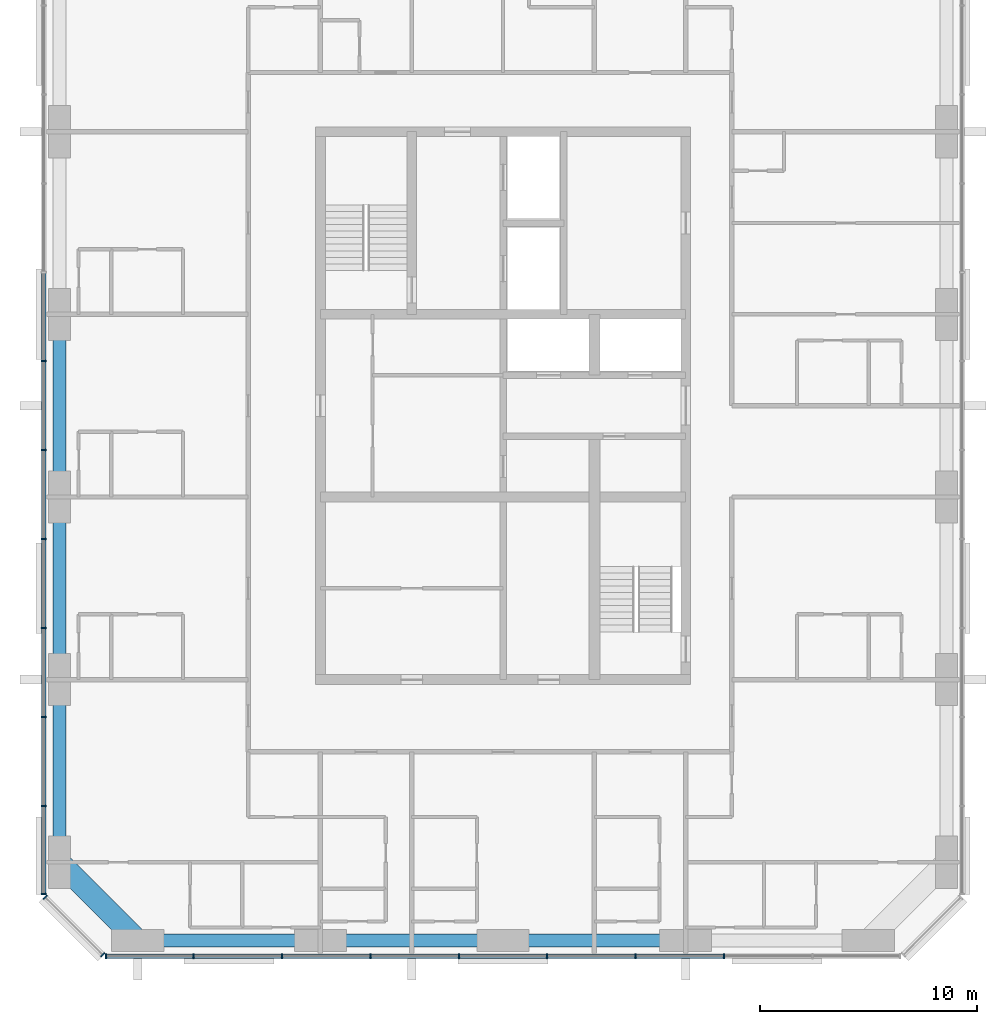
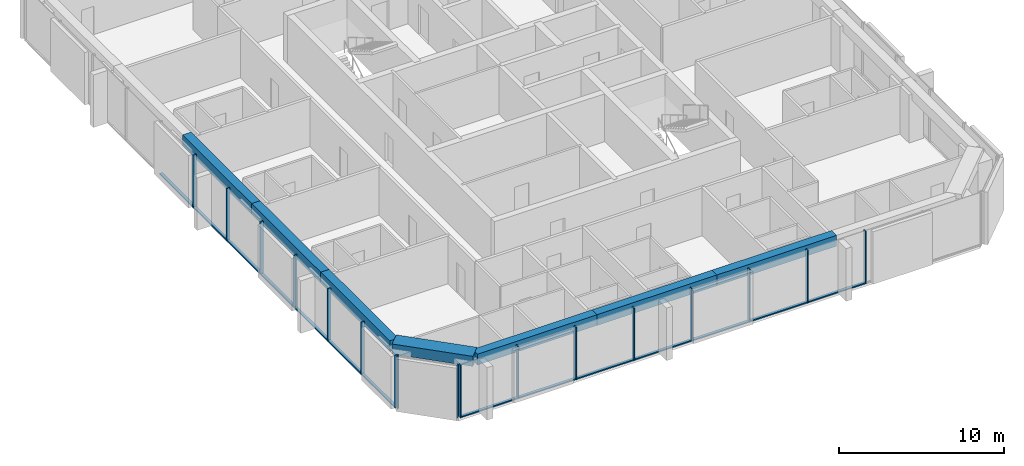
# One storey, part 2 of 12: 31 members, 7 beams, 3 elements without a shape of their own.
"""IFC4 building model written with IfcOpenShell, lengths in metres."""

from ifc_helpers import new_model, si_unit, direction, frame, origin, origin_2d, place, context, subcontext, project, spatial, rectangle, extrude, material, material_profile, profile_set, type_object, element, aggregate, save


model = new_model("IFC4")

# Units and contexts
model_context = context("Model", 3, precision=1e-05, world=origin(), true_north=direction((0.0, 1.0)))
body_context = subcontext(model_context, "Body", "Model", "MODEL_VIEW")
ifc_project = project(units=[si_unit("LENGTHUNIT", "METRE"), si_unit("AREAUNIT", "SQUARE_METRE"), si_unit("VOLUMEUNIT", "CUBIC_METRE"), si_unit("PLANEANGLEUNIT", "RADIAN"), si_unit("MASSUNIT", "GRAM", prefix="KILO")], contexts=[model_context])

# Site, building, storey
site_placement = place(None, origin())
site = spatial("IfcSite", under=ifc_project, at=site_placement, CompositionType="ELEMENT")
building_placement = place(site_placement, origin())
building = spatial("IfcBuilding", under=site, at=building_placement, Name="Dunama Terrace Hotel", CompositionType="ELEMENT")
storey_placement = place(building_placement, frame((0.0, 0.0, 241.199951171875)))
storey = spatial("IfcBuildingStorey", under=building, at=storey_placement, Name="L62", CompositionType="ELEMENT", Elevation=241.199951171875)

# Curtain wall, members
ifc_material_1 = material(Name="Aluminium curtain wall system", Category="aluminium")
curtain_wall_type = type_object("IfcCurtainWallType", Name="Unitised fritted glass wall CW-D", PredefinedType="NOTDEFINED", material=ifc_material_1)
curtain_wall_1_placement = place(storey_placement, origin())
curtain_wall_1 = element("IfcCurtainWall", 1, at=curtain_wall_1_placement, inside=storey, type_object=curtain_wall_type, Name="Unitised fritted glass wall CW-D L62", PredefinedType="NOTDEFINED")
ifc_material_2 = material(Name="Aluminium mullion", Category="aluminium")
ifc_material_profile_1 = material_profile(ifc_material_2, rectangle(XDim=0.070068359375, YDim=0.239990234375, at=origin_2d()), Name="CWD MULLION 70X240")
ifc_profile_set_1 = profile_set([ifc_material_profile_1], Name="Aluminium mullion")
member_type_1 = type_object("IfcMemberType", Name="CWD mullion 70x240", PredefinedType="MULLION", material=ifc_profile_set_1)
member_1_placement = place(storey_placement, frame((15.3349609375, 4.080078125, 0.0), z_axis=(0.0, 0.0, 1.0), x_axis=(1.0, 0.0, 0.0)))
member_1 = element("IfcMember", 2, at=member_1_placement, type_object=member_type_1, Name="CWD mullion", PredefinedType="MULLION", context=body_context, shape_type="SweptSolid", body=[
    extrude(rectangle(XDim=0.070068359375, YDim=0.239990234375, at=origin_2d()), origin(), (0.0, 0.0, 1.0), 3.900146484375),
])
member_2_placement = place(storey_placement, frame((19.366943359375, 4.080078125, 0.0), z_axis=(0.0, 0.0, 1.0), x_axis=(1.0, 0.0, 0.0)))
member_2 = element("IfcMember", 3, at=member_2_placement, type_object=member_type_1, Name="CWD mullion", PredefinedType="MULLION", context=body_context, shape_type="SweptSolid", body=[
    extrude(rectangle(XDim=0.070068359375, YDim=0.239990234375, at=origin_2d()), origin(), (0.0, 0.0, 1.0), 3.900146484375),
])
member_3_placement = place(storey_placement, frame((23.43310546875, 4.080078125, 0.0), z_axis=(0.0, 0.0, 1.0), x_axis=(1.0, 0.0, 0.0)))
member_3 = element("IfcMember", 4, at=member_3_placement, type_object=member_type_1, Name="CWD mullion", PredefinedType="MULLION", context=body_context, shape_type="SweptSolid", body=[
    extrude(rectangle(XDim=0.070068359375, YDim=0.239990234375, at=origin_2d()), origin(), (0.0, 0.0, 1.0), 3.900146484375),
])
member_4_placement = place(storey_placement, frame((27.5, 4.080078125, 0.0), z_axis=(0.0, 0.0, 1.0), x_axis=(1.0, 0.0, 0.0)))
member_4 = element("IfcMember", 5, at=member_4_placement, type_object=member_type_1, Name="CWD mullion", PredefinedType="MULLION", context=body_context, shape_type="SweptSolid", body=[
    extrude(rectangle(XDim=0.070068359375, YDim=0.239990234375, at=origin_2d()), origin(), (0.0, 0.0, 1.0), 3.900146484375),
])
member_5_placement = place(storey_placement, frame((31.56689453125, 4.080078125, 0.0), z_axis=(0.0, 0.0, 1.0), x_axis=(1.0, 0.0, 0.0)))
member_5 = element("IfcMember", 6, at=member_5_placement, type_object=member_type_1, Name="CWD mullion", PredefinedType="MULLION", context=body_context, shape_type="SweptSolid", body=[
    extrude(rectangle(XDim=0.070068359375, YDim=0.239990234375, at=origin_2d()), origin(), (0.0, 0.0, 1.0), 3.900146484375),
])
member_6_placement = place(storey_placement, frame((35.633056640625, 4.080078125, 0.0), z_axis=(0.0, 0.0, 1.0), x_axis=(1.0, 0.0, 0.0)))
member_6 = element("IfcMember", 7, at=member_6_placement, type_object=member_type_1, Name="CWD mullion", PredefinedType="MULLION", context=body_context, shape_type="SweptSolid", body=[
    extrude(rectangle(XDim=0.070068359375, YDim=0.239990234375, at=origin_2d()), origin(), (0.0, 0.0, 1.0), 3.900146484375),
])
member_7_placement = place(storey_placement, frame((39.699951171875, 4.080078125, 0.0), z_axis=(0.0, 0.0, 1.0), x_axis=(1.0, 0.0, 0.0)))
member_7 = element("IfcMember", 8, at=member_7_placement, type_object=member_type_1, Name="CWD mullion", PredefinedType="MULLION", context=body_context, shape_type="SweptSolid", body=[
    extrude(rectangle(XDim=0.070068359375, YDim=0.239990234375, at=origin_2d()), origin(), (0.0, 0.0, 1.0), 3.900146484375),
])
member_8_placement = place(storey_placement, frame((43.76708984375, 4.080078125, 0.0), z_axis=(0.0, 0.0, 1.0), x_axis=(1.0, 0.0, 0.0)))
member_8 = element("IfcMember", 9, at=member_8_placement, type_object=member_type_1, Name="CWD mullion", PredefinedType="MULLION", context=body_context, shape_type="SweptSolid", body=[
    extrude(rectangle(XDim=0.070068359375, YDim=0.239990234375, at=origin_2d()), origin(), (0.0, 0.0, 1.0), 3.900146484375),
])

curtain_wall_2_placement = place(storey_placement, origin())
curtain_wall_2 = element("IfcCurtainWall", 10, at=curtain_wall_2_placement, inside=storey, type_object=curtain_wall_type, Name="Unitised fritted glass wall CW-D L62", PredefinedType="NOTDEFINED")
member_9_placement = place(storey_placement, frame((12.47998046875, 31.445068359375, 0.0), z_axis=(0.0, 0.0, 1.0), x_axis=(0.0, -1.0, 0.0)))
member_9 = element("IfcMember", 11, at=member_9_placement, type_object=member_type_1, Name="CWD mullion", PredefinedType="MULLION", context=body_context, shape_type="SweptSolid", body=[
    extrude(rectangle(XDim=0.070068359375, YDim=0.239990234375, at=origin_2d()), origin(), (0.0, 0.0, 1.0), 3.900146484375),
])
member_10_placement = place(storey_placement, frame((12.47998046875, 27.35498046875, 0.0), z_axis=(0.0, 0.0, 1.0), x_axis=(0.0, -1.0, 0.0)))
member_10 = element("IfcMember", 12, at=member_10_placement, type_object=member_type_1, Name="CWD mullion", PredefinedType="MULLION", context=body_context, shape_type="SweptSolid", body=[
    extrude(rectangle(XDim=0.070068359375, YDim=0.239990234375, at=origin_2d()), origin(), (0.0, 0.0, 1.0), 3.900146484375),
])
member_11_placement = place(storey_placement, frame((12.47998046875, 23.263916015625, 0.0), z_axis=(0.0, 0.0, 1.0), x_axis=(0.0, -1.0, 0.0)))
member_11 = element("IfcMember", 13, at=member_11_placement, type_object=member_type_1, Name="CWD mullion", PredefinedType="MULLION", context=body_context, shape_type="SweptSolid", body=[
    extrude(rectangle(XDim=0.070068359375, YDim=0.239990234375, at=origin_2d()), origin(), (0.0, 0.0, 1.0), 3.900146484375),
])
member_12_placement = place(storey_placement, frame((12.47998046875, 19.173095703125, 0.0), z_axis=(0.0, 0.0, 1.0), x_axis=(0.0, -1.0, 0.0)))
member_12 = element("IfcMember", 14, at=member_12_placement, type_object=member_type_1, Name="CWD mullion", PredefinedType="MULLION", context=body_context, shape_type="SweptSolid", body=[
    extrude(rectangle(XDim=0.070068359375, YDim=0.239990234375, at=origin_2d()), origin(), (0.0, 0.0, 1.0), 3.900146484375),
])
member_13_placement = place(storey_placement, frame((12.47998046875, 15.08203125, 0.0), z_axis=(0.0, 0.0, 1.0), x_axis=(0.0, -1.0, 0.0)))
member_13 = element("IfcMember", 15, at=member_13_placement, type_object=member_type_1, Name="CWD mullion", PredefinedType="MULLION", context=body_context, shape_type="SweptSolid", body=[
    extrude(rectangle(XDim=0.070068359375, YDim=0.239990234375, at=origin_2d()), origin(), (0.0, 0.0, 1.0), 3.900146484375),
])
member_14_placement = place(storey_placement, frame((12.47998046875, 10.990966796875, 0.0), z_axis=(0.0, 0.0, 1.0), x_axis=(0.0, -1.0, 0.0)))
member_14 = element("IfcMember", 16, at=member_14_placement, type_object=member_type_1, Name="CWD mullion", PredefinedType="MULLION", context=body_context, shape_type="SweptSolid", body=[
    extrude(rectangle(XDim=0.070068359375, YDim=0.239990234375, at=origin_2d()), origin(), (0.0, 0.0, 1.0), 3.900146484375),
])
member_15_placement = place(storey_placement, frame((12.47998046875, 6.93505859375, 0.0), z_axis=(0.0, 0.0, 1.0), x_axis=(0.0, -1.0, 0.0)))
member_15 = element("IfcMember", 17, at=member_15_placement, type_object=member_type_1, Name="CWD mullion", PredefinedType="MULLION", context=body_context, shape_type="SweptSolid", body=[
    extrude(rectangle(XDim=0.070068359375, YDim=0.239990234375, at=origin_2d()), origin(), (0.0, 0.0, 1.0), 3.900146484375),
])

curtain_wall_3_placement = place(storey_placement, origin())
curtain_wall_3 = element("IfcCurtainWall", 18, at=curtain_wall_3_placement, inside=storey, type_object=curtain_wall_type, Name="Unitised fritted glass wall CW-D L62", PredefinedType="NOTDEFINED")
member_16_placement = place(storey_placement, frame((12.5400390625, 6.7900390625, 0.0), z_axis=(0.0, 0.0, 1.0), x_axis=(0.707106781187, -0.707106781187, 0.0)))
member_16 = element("IfcMember", 19, at=member_16_placement, type_object=member_type_1, Name="CWD mullion", PredefinedType="MULLION", context=body_context, shape_type="SweptSolid", body=[
    extrude(rectangle(XDim=0.070068359375, YDim=0.239990234375, at=origin_2d()), origin(), (0.0, 0.0, 1.0), 3.900146484375),
])
member_17_placement = place(storey_placement, frame((15.18994140625, 4.139892578125, 0.0), z_axis=(0.0, 0.0, 1.0), x_axis=(0.707106781187, -0.707106781187, 0.0)))
member_17 = element("IfcMember", 20, at=member_17_placement, type_object=member_type_1, Name="CWD mullion", PredefinedType="MULLION", context=body_context, shape_type="SweptSolid", body=[
    extrude(rectangle(XDim=0.070068359375, YDim=0.239990234375, at=origin_2d()), origin(), (0.0, 0.0, 1.0), 3.900146484375),
])
aggregate(curtain_wall_3, [member_16, member_17])

# Member
ifc_material_3 = material(Name="Aluminium transom", Category="aluminium")
ifc_material_profile_2 = material_profile(ifc_material_3, rectangle(XDim=0.199951171875, YDim=0.0849609375, at=origin_2d()), Name="CWD TRANSOM 200X85")
ifc_profile_set_2 = profile_set([ifc_material_profile_2], Name="Aluminium transom")
member_type_2 = type_object("IfcMemberType", Name="CWD transom 200x85", PredefinedType="USERDEFINED", material=ifc_profile_set_2)
member_18_placement = place(storey_placement, frame((15.3701171875, 4.080078125, 0.04248046875), z_axis=(1.0, 0.0, 0.0), x_axis=(0.0, 1.0, 0.0)))
member_18 = element("IfcMember", 21, at=member_18_placement, type_object=member_type_2, Name="CWD transom", ObjectType="TRANSOM", PredefinedType="USERDEFINED", context=body_context, shape_type="SweptSolid", body=[
    extrude(rectangle(XDim=0.199951171875, YDim=0.0849609375, at=origin_2d()), origin(), (0.0, 0.0, 1.0), 3.9619140625),
])

member_19_placement = place(storey_placement, frame((19.402099609375, 4.080078125, 0.04248046875), z_axis=(1.0, 0.0, 0.0), x_axis=(0.0, 1.0, 0.0)))
member_19 = element("IfcMember", 22, at=member_19_placement, type_object=member_type_2, Name="CWD transom", ObjectType="TRANSOM", PredefinedType="USERDEFINED", context=body_context, shape_type="SweptSolid", body=[
    extrude(rectangle(XDim=0.199951171875, YDim=0.0849609375, at=origin_2d()), origin(), (0.0, 0.0, 1.0), 3.995849609375),
])

member_20_placement = place(storey_placement, frame((23.468017578125, 4.080078125, 0.04248046875), z_axis=(1.0, 0.0, 0.0), x_axis=(0.0, 1.0, 0.0)))
member_20 = element("IfcMember", 23, at=member_20_placement, type_object=member_type_2, Name="CWD transom", ObjectType="TRANSOM", PredefinedType="USERDEFINED", context=body_context, shape_type="SweptSolid", body=[
    extrude(rectangle(XDim=0.199951171875, YDim=0.0849609375, at=origin_2d()), origin(), (0.0, 0.0, 1.0), 3.9970703125),
])

member_21_placement = place(storey_placement, frame((27.534912109375, 4.080078125, 0.04248046875), z_axis=(1.0, 0.0, 0.0), x_axis=(0.0, 1.0, 0.0)))
member_21 = element("IfcMember", 24, at=member_21_placement, type_object=member_type_2, Name="CWD transom", ObjectType="TRANSOM", PredefinedType="USERDEFINED", context=body_context, shape_type="SweptSolid", body=[
    extrude(rectangle(XDim=0.199951171875, YDim=0.0849609375, at=origin_2d()), origin(), (0.0, 0.0, 1.0), 3.9970703125),
])

member_22_placement = place(storey_placement, frame((31.60205078125, 4.080078125, 0.04248046875), z_axis=(1.0, 0.0, 0.0), x_axis=(0.0, 1.0, 0.0)))
member_22 = element("IfcMember", 25, at=member_22_placement, type_object=member_type_2, Name="CWD transom", ObjectType="TRANSOM", PredefinedType="USERDEFINED", context=body_context, shape_type="SweptSolid", body=[
    extrude(rectangle(XDim=0.199951171875, YDim=0.0849609375, at=origin_2d()), origin(), (0.0, 0.0, 1.0), 3.995849609375),
])

member_23_placement = place(storey_placement, frame((35.66796875, 4.080078125, 0.04248046875), z_axis=(1.0, 0.0, 0.0), x_axis=(0.0, 1.0, 0.0)))
member_23 = element("IfcMember", 26, at=member_23_placement, type_object=member_type_2, Name="CWD transom", ObjectType="TRANSOM", PredefinedType="USERDEFINED", context=body_context, shape_type="SweptSolid", body=[
    extrude(rectangle(XDim=0.199951171875, YDim=0.0849609375, at=origin_2d()), origin(), (0.0, 0.0, 1.0), 3.9970703125),
])

member_24_placement = place(storey_placement, frame((39.735107421875, 4.080078125, 0.04248046875), z_axis=(1.0, 0.0, 0.0), x_axis=(0.0, 1.0, 0.0)))
member_24 = element("IfcMember", 27, at=member_24_placement, type_object=member_type_2, Name="CWD transom", ObjectType="TRANSOM", PredefinedType="USERDEFINED", context=body_context, shape_type="SweptSolid", body=[
    extrude(rectangle(XDim=0.199951171875, YDim=0.0849609375, at=origin_2d()), origin(), (0.0, 0.0, 1.0), 3.996826171875),
])

aggregate(curtain_wall_1, [member_1, member_2, member_3, member_4, member_5, member_6, member_7, member_8, member_18, member_19, member_20, member_21, member_22, member_23, member_24])

member_25_placement = place(storey_placement, frame((12.47998046875, 35.5009765625, 0.04248046875), z_axis=(0.0, -1.0, 0.0), x_axis=(1.0, 0.0, 0.0)))
member_25 = element("IfcMember", 28, at=member_25_placement, type_object=member_type_2, Name="CWD transom", ObjectType="TRANSOM", PredefinedType="USERDEFINED", context=body_context, shape_type="SweptSolid", body=[
    extrude(rectangle(XDim=0.199951171875, YDim=0.0849609375, at=origin_2d()), origin(), (0.0, 0.0, 1.0), 4.02099609375),
])

member_26_placement = place(storey_placement, frame((12.47998046875, 31.409912109375, 0.04248046875), z_axis=(0.0, -1.0, 0.0), x_axis=(1.0, 0.0, 0.0)))
member_26 = element("IfcMember", 29, at=member_26_placement, type_object=member_type_2, Name="CWD transom", ObjectType="TRANSOM", PredefinedType="USERDEFINED", context=body_context, shape_type="SweptSolid", body=[
    extrude(rectangle(XDim=0.199951171875, YDim=0.0849609375, at=origin_2d()), origin(), (0.0, 0.0, 1.0), 4.02001953125),
])

member_27_placement = place(storey_placement, frame((12.47998046875, 27.320068359375, 0.04248046875), z_axis=(0.0, -1.0, 0.0), x_axis=(1.0, 0.0, 0.0)))
member_27 = element("IfcMember", 30, at=member_27_placement, type_object=member_type_2, Name="CWD transom", ObjectType="TRANSOM", PredefinedType="USERDEFINED", context=body_context, shape_type="SweptSolid", body=[
    extrude(rectangle(XDim=0.199951171875, YDim=0.0849609375, at=origin_2d()), origin(), (0.0, 0.0, 1.0), 4.02099609375),
])

member_28_placement = place(storey_placement, frame((12.47998046875, 23.22900390625, 0.04248046875), z_axis=(0.0, -1.0, 0.0), x_axis=(1.0, 0.0, 0.0)))
member_28 = element("IfcMember", 31, at=member_28_placement, type_object=member_type_2, Name="CWD transom", ObjectType="TRANSOM", PredefinedType="USERDEFINED", context=body_context, shape_type="SweptSolid", body=[
    extrude(rectangle(XDim=0.199951171875, YDim=0.0849609375, at=origin_2d()), origin(), (0.0, 0.0, 1.0), 4.02099609375),
])

member_29_placement = place(storey_placement, frame((12.47998046875, 19.137939453125, 0.04248046875), z_axis=(0.0, -1.0, 0.0), x_axis=(1.0, 0.0, 0.0)))
member_29 = element("IfcMember", 32, at=member_29_placement, type_object=member_type_2, Name="CWD transom", ObjectType="TRANSOM", PredefinedType="USERDEFINED", context=body_context, shape_type="SweptSolid", body=[
    extrude(rectangle(XDim=0.199951171875, YDim=0.0849609375, at=origin_2d()), origin(), (0.0, 0.0, 1.0), 4.02099609375),
])

member_30_placement = place(storey_placement, frame((12.47998046875, 15.047119140625, 0.04248046875), z_axis=(0.0, -1.0, 0.0), x_axis=(1.0, 0.0, 0.0)))
member_30 = element("IfcMember", 33, at=member_30_placement, type_object=member_type_2, Name="CWD transom", ObjectType="TRANSOM", PredefinedType="USERDEFINED", context=body_context, shape_type="SweptSolid", body=[
    extrude(rectangle(XDim=0.199951171875, YDim=0.0849609375, at=origin_2d()), origin(), (0.0, 0.0, 1.0), 4.021240234375),
])

member_31_placement = place(storey_placement, frame((12.47998046875, 10.9560546875, 0.04248046875), z_axis=(0.0, -1.0, 0.0), x_axis=(1.0, 0.0, 0.0)))
member_31 = element("IfcMember", 34, at=member_31_placement, type_object=member_type_2, Name="CWD transom", ObjectType="TRANSOM", PredefinedType="USERDEFINED", context=body_context, shape_type="SweptSolid", body=[
    extrude(rectangle(XDim=0.199951171875, YDim=0.0849609375, at=origin_2d()), origin(), (0.0, 0.0, 1.0), 3.986083984375),
])

aggregate(curtain_wall_2, [member_9, member_10, member_11, member_12, member_13, member_14, member_15, member_25, member_26, member_27, member_28, member_29, member_30, member_31])

# Beams
ifc_material_4 = material(Name="Concrete C50/60", Category="concrete")
ifc_material_profile_3 = material_profile(ifc_material_4, rectangle(XDim=1.0, YDim=0.75, at=origin_2d()), Name="RC 1000x750")
ifc_profile_set_3 = profile_set([ifc_material_profile_3], Name="Concrete C50/60")
beam_type_1 = type_object("IfcBeamType", Name="Edge beam RC 1000x750", PredefinedType="SPANDREL", material=ifc_profile_set_3)
beam_1_placement = place(storey_placement, frame((16.800048828125, 4.800048828125, 3.525146484375), z_axis=(-0.707130757816, 0.707082803744, 0.0), x_axis=(-0.707082803744, -0.707130757816, 0.0)))
element("IfcBeam", 35, at=beam_1_placement, inside=storey, type_object=beam_type_1, Name="Corner edge beam under L63", PredefinedType="SPANDREL", context=body_context, shape_type="SweptSolid", body=[
    extrude(rectangle(XDim=1.0, YDim=0.75, at=origin_2d()), origin(), (0.0, 0.0, 1.0), 5.091064453125),
])
ifc_material_5 = material(Name="Concrete C40/50", Category="concrete")
ifc_material_profile_4 = material_profile(ifc_material_5, rectangle(XDim=0.60009765625, YDim=0.800048828125, at=origin_2d()), Name="RC 600x800")
ifc_profile_set_4 = profile_set([ifc_material_profile_4], Name="Concrete C40/50")
beam_type_2 = type_object("IfcBeamType", Name="Edge beam RC 600x800", PredefinedType="SPANDREL", material=ifc_profile_set_4)
beam_2_placement = place(storey_placement, frame((13.199951171875, 8.39990234375, 3.5), z_axis=(0.0, 1.0, 0.0), x_axis=(-1.0, 0.0, 0.0)))
element("IfcBeam", 36, at=beam_2_placement, inside=storey, type_object=beam_type_2, Name="Edge beam under L63", PredefinedType="SPANDREL", context=body_context, shape_type="SweptSolid", body=[
    extrude(rectangle(XDim=0.60009765625, YDim=0.800048828125, at=origin_2d()), origin(), (0.0, 0.0, 1.0), 8.400146484375),
])
beam_3_placement = place(storey_placement, frame((13.199951171875, 16.800048828125, 3.5), z_axis=(0.0, 1.0, 0.0), x_axis=(-1.0, 0.0, 0.0)))
element("IfcBeam", 37, at=beam_3_placement, inside=storey, type_object=beam_type_2, Name="Edge beam under L63", PredefinedType="SPANDREL", context=body_context, shape_type="SweptSolid", body=[
    extrude(rectangle(XDim=0.60009765625, YDim=0.800048828125, at=origin_2d()), origin(), (0.0, 0.0, 1.0), 8.39990234375),
])
beam_4_placement = place(storey_placement, frame((13.199951171875, 25.199951171875, 3.5), z_axis=(0.0, 1.0, 0.0), x_axis=(-1.0, 0.0, 0.0)))
element("IfcBeam", 38, at=beam_4_placement, inside=storey, type_object=beam_type_2, Name="Edge beam under L63", PredefinedType="SPANDREL", context=body_context, shape_type="SweptSolid", body=[
    extrude(rectangle(XDim=0.60009765625, YDim=0.800048828125, at=origin_2d()), origin(), (0.0, 0.0, 1.0), 8.400146484375),
])
beam_5_placement = place(storey_placement, frame((16.800048828125, 4.800048828125, 3.5), z_axis=(1.0, 0.0, 0.0), x_axis=(0.0, 1.0, 0.0)))
element("IfcBeam", 39, at=beam_5_placement, inside=storey, type_object=beam_type_2, Name="Edge beam under L63", PredefinedType="SPANDREL", context=body_context, shape_type="SweptSolid", body=[
    extrude(rectangle(XDim=0.60009765625, YDim=0.800048828125, at=origin_2d()), origin(), (0.0, 0.0, 1.0), 8.39990234375),
])
beam_6_placement = place(storey_placement, frame((25.199951171875, 4.800048828125, 3.5), z_axis=(1.0, 0.0, 0.0), x_axis=(0.0, 1.0, 0.0)))
element("IfcBeam", 40, at=beam_6_placement, inside=storey, type_object=beam_type_2, Name="Edge beam under L63", PredefinedType="SPANDREL", context=body_context, shape_type="SweptSolid", body=[
    extrude(rectangle(XDim=0.60009765625, YDim=0.800048828125, at=origin_2d()), origin(), (0.0, 0.0, 1.0), 8.400146484375),
])
beam_7_placement = place(storey_placement, frame((33.60009765625, 4.800048828125, 3.5), z_axis=(1.0, 0.0, 0.0), x_axis=(0.0, 1.0, 0.0)))
element("IfcBeam", 41, at=beam_7_placement, inside=storey, type_object=beam_type_2, Name="Edge beam under L63", PredefinedType="SPANDREL", context=body_context, shape_type="SweptSolid", body=[
    extrude(rectangle(XDim=0.60009765625, YDim=0.800048828125, at=origin_2d()), origin(), (0.0, 0.0, 1.0), 8.39990234375),
])

save(model, "model.ifc")
